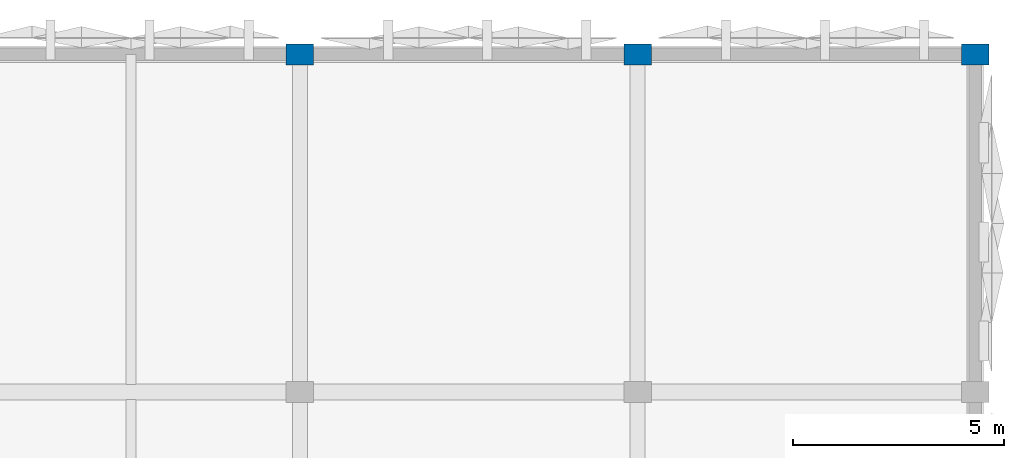
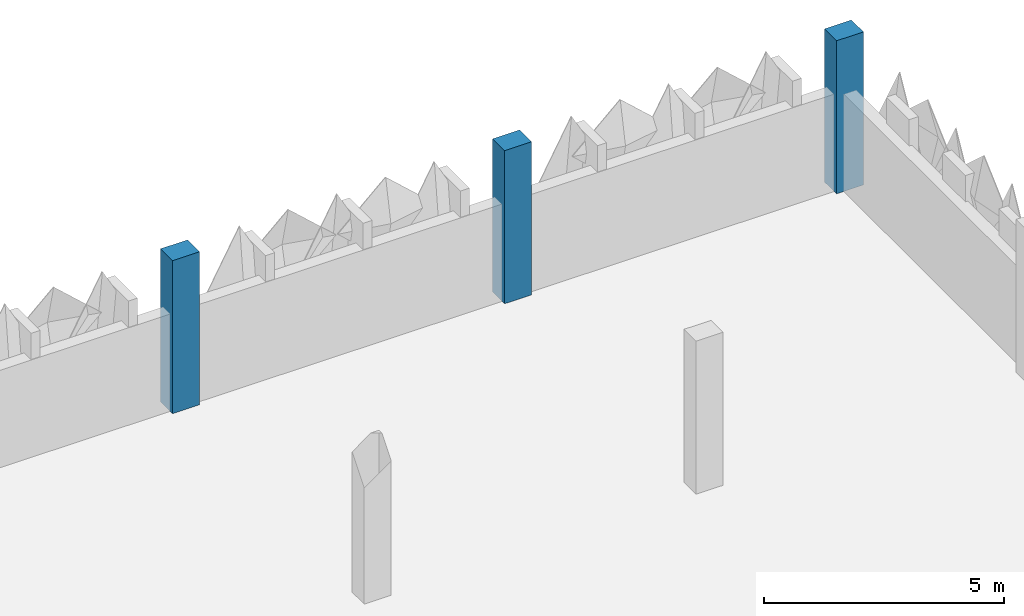
# One storey, part 11 of 76: 3 columns.
"""IFC4 building model written with IfcOpenShell, lengths in metres."""

from ifc_helpers import new_model, si_unit, derived_unit, direction, frame, origin, origin_2d, place, context, subcontext, project, spatial, rectangle, extrude, material, material_profile, profile_set, type_object, element, save


model = new_model("IFC4")

# Units and contexts
model_context = context("Model", 3, precision=1e-05, world=origin(), true_north=direction((0.0, 1.0)))
body_context = subcontext(model_context, "Body", "Model", "MODEL_VIEW")
ifc_project = project(units=[si_unit("LENGTHUNIT", "METRE"), si_unit("AREAUNIT", "SQUARE_METRE"), si_unit("VOLUMEUNIT", "CUBIC_METRE"), si_unit("PLANEANGLEUNIT", "RADIAN"), si_unit("MASSUNIT", "GRAM", prefix="KILO"), si_unit("THERMODYNAMICTEMPERATUREUNIT", "KELVIN"), derived_unit("THERMALTRANSMITTANCEUNIT", [(si_unit("POWERUNIT", "WATT"), 1), (si_unit("AREAUNIT", "SQUARE_METRE"), -1), (si_unit("THERMODYNAMICTEMPERATUREUNIT", "KELVIN"), -1)])], contexts=[model_context])

# Site, building, storey
site_placement = place(None, origin())
site = spatial("IfcSite", under=ifc_project, at=site_placement, CompositionType="ELEMENT")
building_placement = place(site_placement, origin())
building = spatial("IfcBuilding", under=site, at=building_placement, Name="Haiyu Intermodal Mobility Hub", CompositionType="ELEMENT")
storey_placement = place(building_placement, frame((0.0, 0.0, 17.300048828125)))
storey = spatial("IfcBuildingStorey", under=building, at=storey_placement, Name="L04", CompositionType="ELEMENT", Elevation=17.300048828125)

# Columns
ifc_material = material(Name="Concrete C40", Category="concrete")
ifc_material_profile = material_profile(ifc_material, rectangle(XDim=0.64990234375, YDim=0.5, at=origin_2d()), Name="C650x500")
ifc_profile_set = profile_set([ifc_material_profile], Name="Concrete C40")
column_type = type_object("IfcColumnType", Name="COL-CC17-EXT", PredefinedType="COLUMN", material=ifc_profile_set)
for number, where, z_axis, x_axis, name in (
    (1, (194.0, 148.0, 0.0), (0.0, 0.0, 1.0), (1.0, 0.0, 0.0), "Column V6-22S L04"),
    (2, (202.0, 148.0, 0.0), (0.0, 0.0, 1.0), (1.0, 0.0, 0.0), "Column V6-23S L04"),
    (3, (210.0, 148.0, 0.0), (0.0, 0.0, 1.0), (1.0, 0.0, 0.0), "Column V6-24S L04"),
):
    element("IfcColumn", number, at=place(storey_placement, frame(where, z_axis=z_axis, x_axis=x_axis)), inside=storey, type_object=column_type, Name=name, PredefinedType="COLUMN", context=body_context, shape_type="SweptSolid", body=[
        extrude(rectangle(XDim=0.64990234375, YDim=0.5, at=origin_2d()), origin(), (0.0, 0.0, 1.0), 3.89990234375),
    ])

save(model, "model.ifc")
